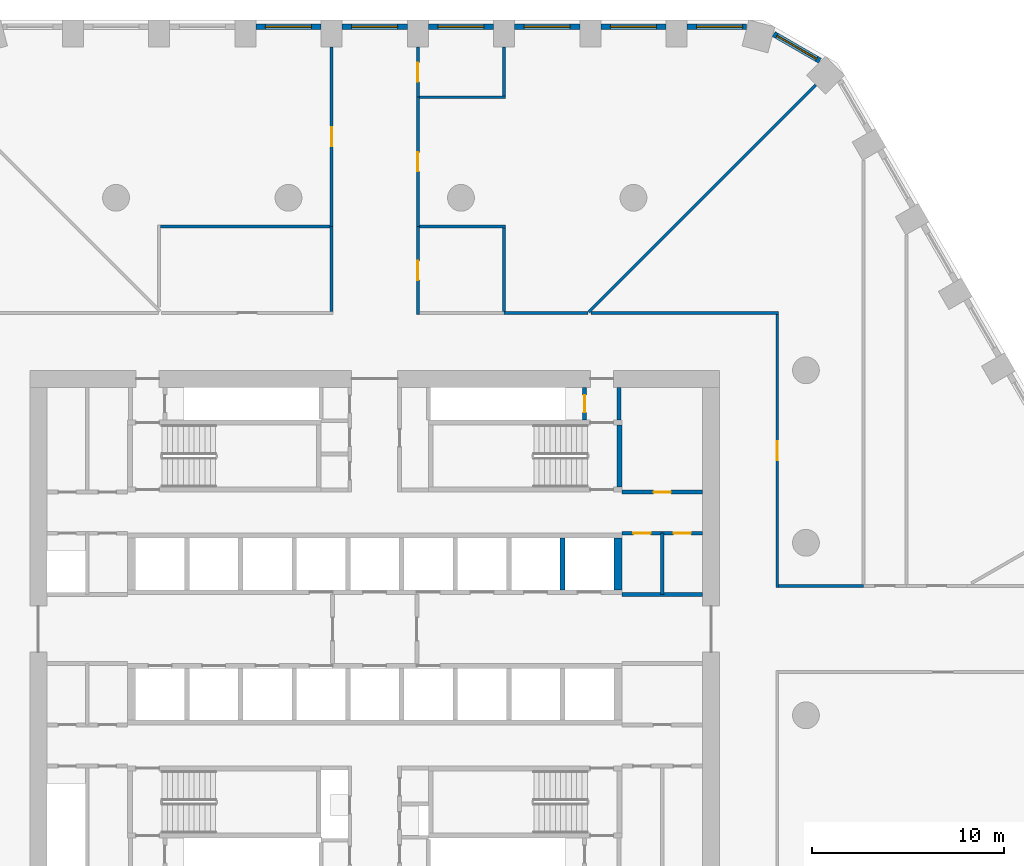
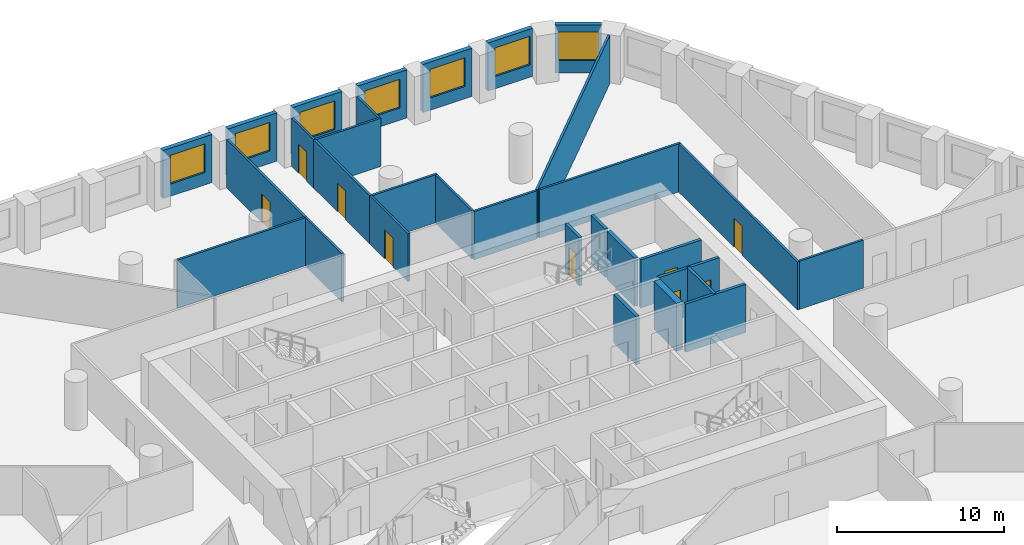
# One storey, part 7 of 10: 31 walls, 9 doors, 7 windows, 16 openings.
"""IFC4 building model written with IfcOpenShell, lengths in metres."""

import ifcopenshell
import ifcopenshell.guid

model = None  # the IFC model being written
_history = None  # IfcOwnerHistory: only IFC2X3 demands one
_inside = {}  # id of a spatial element -> (the spatial element, [elements in it])
_under = {}  # id of a project, library or spatial element -> (it, [spatial elements below it])
_declared = {}  # id of a project -> (the project, [libraries it declares])
_typed = {}  # id of a type object -> (the type object, [elements of that type])
_made_of = {}  # id of a material, layer set ... -> (it, [elements and type objects made of it])


def new_model(schema):
    """Start an empty IFC model of exactly this schema.

    Asked for "IFC4X3", IfcOpenShell would pick the latest addendum, in which some entities
    have other attributes; the version numbers below select the first issue.
    IFC2X3 requires an IfcOwnerHistory on every rooted entity: one is made here for all.
    """
    global model, _history
    if schema == "IFC4X3":
        model = ifcopenshell.file(schema_version=(4, 3, 0, 0))
    else:
        model = ifcopenshell.file(schema=schema)
    _inside.clear()
    _under.clear()
    _declared.clear()
    _typed.clear()
    _made_of.clear()
    _history = None
    if model.schema == "IFC2X3":
        org = make("IfcOrganization", Name="unknown")
        user = make(
            "IfcPersonAndOrganization",
            ThePerson=make("IfcPerson", FamilyName="unknown"),
            TheOrganization=org,
        )
        app = make(
            "IfcApplication",
            ApplicationDeveloper=org,
            Version="unknown",
            ApplicationFullName="unknown",
            ApplicationIdentifier="unknown",
        )
        _history = make(
            "IfcOwnerHistory",
            OwningUser=user,
            OwningApplication=app,
            ChangeAction="ADDED",
            CreationDate=0,
        )
    return model


def make(cls, **values):
    """One entity of the class cls with the attributes given. An attribute that is None is left unset."""
    return model.create_entity(
        cls, **{name: value for name, value in values.items() if value is not None}
    )


def rooted(cls, **values):
    """An entity with a GlobalId (a new one), such as an element, a storey or a relation."""
    return make(cls, GlobalId=ifcopenshell.guid.new(), OwnerHistory=_history, **values)


def si_unit(unit_type, name, prefix=None):
    """IfcSIUnit, for example si_unit("LENGTHUNIT", "METRE", prefix="MILLI")."""
    return make("IfcSIUnit", UnitType=unit_type, Prefix=prefix, Name=name)


def assignment(units):
    """IfcUnitAssignment: the units of a project."""
    return None if units is None else make("IfcUnitAssignment", Units=units)


def point(xyz):
    """IfcCartesianPoint."""
    return None if xyz is None else make("IfcCartesianPoint", Coordinates=xyz)


def direction(xyz):
    """IfcDirection."""
    return None if xyz is None else make("IfcDirection", DirectionRatios=xyz)


def frame(location, z_axis=None, x_axis=None):
    """IfcAxis2Placement3D, a coordinate frame: its origin and axes. An axis left out is left unset."""
    return make(
        "IfcAxis2Placement3D",
        Location=point(location),
        Axis=direction(z_axis),
        RefDirection=direction(x_axis),
    )


def frame_2d(location, x_axis=None):
    """IfcAxis2Placement2D, a coordinate frame in the plane: its origin and x axis."""
    return make(
        "IfcAxis2Placement2D", Location=point(location), RefDirection=direction(x_axis)
    )


def origin():
    """The frame at (0, 0, 0) with its axes left unset."""
    return frame((0.0, 0.0, 0.0))


def place(relative_to, where):
    """IfcLocalPlacement: puts the frame where relative to a parent placement (None: the world)."""
    return make(
        "IfcLocalPlacement", PlacementRelTo=relative_to, RelativePlacement=where
    )


def context(
    kind, dimensions, precision=None, world=None, true_north=None, identifier=None
):
    """IfcGeometricRepresentationContext, for example the 3D "Model" context."""
    return make(
        "IfcGeometricRepresentationContext",
        ContextIdentifier=identifier,
        ContextType=kind,
        CoordinateSpaceDimension=dimensions,
        Precision=precision,
        WorldCoordinateSystem=world,
        TrueNorth=true_north,
    )


def subcontext(parent, identifier, kind, view, scale=None):
    """IfcGeometricRepresentationSubContext, for example "Body" below "Model"."""
    return make(
        "IfcGeometricRepresentationSubContext",
        ContextIdentifier=identifier,
        ContextType=kind,
        ParentContext=parent,
        TargetScale=scale,
        TargetView=view,
    )


def project(units=None, contexts=None):
    """IfcProject with its units and contexts."""
    return rooted(
        "IfcProject",
        Name="project",
        RepresentationContexts=contexts,
        UnitsInContext=assignment(units),
    )


def spatial(cls, under=None, at=None, **own):
    """A site, building, storey or space (cls), placed at a placement, below another one or the project."""
    s = rooted(cls, ObjectPlacement=at, **own)
    if under is not None:
        _under.setdefault(under.id(), (under, []))[1].append(s)
    return s


def polyline(points):
    """IfcPolyline through the points."""
    return make("IfcPolyline", Points=[point(p) for p in points])


def profile(cls, at=None, kind="AREA", **sizes):
    """A parametric profile (cls). Its sizes go by their IFC names, for example OverallWidth=200.0."""
    return make(cls, ProfileType=kind, Position=at, **sizes)


def rectangle(**sizes):
    """IfcRectangleProfileDef."""
    return profile("IfcRectangleProfileDef", **sizes)


def outline(outer, holes=None, kind="AREA"):
    """IfcArbitraryClosedProfileDef: a profile drawn as a closed curve; with holes, ...WithVoids."""
    if holes is None:
        return make("IfcArbitraryClosedProfileDef", ProfileType=kind, OuterCurve=outer)
    return make(
        "IfcArbitraryProfileDefWithVoids",
        ProfileType=kind,
        OuterCurve=outer,
        InnerCurves=holes,
    )


def extrude(swept, where, along, depth):
    """IfcExtrudedAreaSolid: the profile swept, set in the frame where, extruded along a direction by depth."""
    return make(
        "IfcExtrudedAreaSolid",
        SweptArea=swept,
        Position=where,
        ExtrudedDirection=direction(along),
        Depth=depth,
    )


def shape(context_of_items, identifier, shape_type, items):
    """IfcShapeRepresentation: the items that make up one representation, for example the "Body"."""
    return make(
        "IfcShapeRepresentation",
        ContextOfItems=context_of_items,
        RepresentationIdentifier=identifier,
        RepresentationType=shape_type,
        Items=items,
    )


def material(Name=None, Category=None):
    """IfcMaterial."""
    return make("IfcMaterial", Name=Name, Category=Category)


def layer(
    of_material, thickness, ventilated=None, Name=None, Category=None, Priority=None
):
    """IfcMaterialLayer: one layer of a wall or slab, of a material (None: an air gap)."""
    return make(
        "IfcMaterialLayer",
        Material=of_material,
        LayerThickness=thickness,
        IsVentilated=ventilated,
        Name=Name,
        Category=Category,
        Priority=Priority,
    )


def layer_set(layers, Name=None):
    """IfcMaterialLayerSet."""
    return make("IfcMaterialLayerSet", MaterialLayers=layers, LayerSetName=Name)


def made_of(thing, what):
    """Note that an element or type object is made of a material, layer set ...; save() writes the relation."""
    if what is not None:
        _made_of.setdefault(what.id(), (what, []))[1].append(thing)
    return thing


def type_object(cls, material=None, **own):
    """A type object (cls), such as IfcWallType, which elements share."""
    return made_of(rooted(cls, **own), material)


def element(
    cls,
    number,
    at=None,
    inside=None,
    cuts=None,
    type_object=None,
    material=None,
    context=None,
    identifier="Body",
    shape_type=None,
    held_by="IfcProductDefinitionShape",
    body=None,
    shapes=None,
    **own,
):
    """One element of the class cls, such as IfcWall. Its Tag is "e" and its number.

    at: its placement. inside: the storey or other place that contains it. cuts: it is an
    opening in that element (IfcRelVoidsElement). A single representation is given by context,
    identifier, shape_type and body (its items); several are given by shapes. held_by: the class
    of the entity that holds the representations. save() writes the other relations.
    """
    e = rooted(cls, Tag="e%d" % number, ObjectPlacement=at, **own)
    if body is not None:
        shapes = [shape(context, identifier, shape_type, body)]
    if shapes is not None:
        e.Representation = make(held_by, Representations=shapes)
    if inside is not None:
        _inside.setdefault(inside.id(), (inside, []))[1].append(e)
    if cuts is not None:
        rooted(
            "IfcRelVoidsElement", RelatingBuildingElement=cuts, RelatedOpeningElement=e
        )
    if type_object is not None:
        _typed.setdefault(type_object.id(), (type_object, []))[1].append(e)
    return made_of(e, material)


def fill(opening, filler):
    """IfcRelFillsElement: the door or window that sits in an opening."""
    return rooted(
        "IfcRelFillsElement",
        RelatingOpeningElement=opening,
        RelatedBuildingElement=filler,
    )


def aggregate(whole, parts):
    """IfcRelAggregates: a whole, such as a stair, and the parts it consists of."""
    return rooted("IfcRelAggregates", RelatingObject=whole, RelatedObjects=parts)


def save(model, path):
    """Write the relations noted so far, then the file.

    IfcRelAggregates (storeys below a building ...), IfcRelContainedInSpatialStructure (elements
    in a storey), IfcRelDefinesByType, IfcRelAssociatesMaterial and IfcRelDeclares: one each for
    every whole, place, type object, material and project.
    """
    for whole, parts in _under.values():
        aggregate(whole, parts)
    for where, things in _inside.values():
        rooted(
            "IfcRelContainedInSpatialStructure",
            RelatedElements=things,
            RelatingStructure=where,
        )
    for kind, things in _typed.values():
        rooted("IfcRelDefinesByType", RelatedObjects=things, RelatingType=kind)
    for what, things in _made_of.values():
        rooted("IfcRelAssociatesMaterial", RelatedObjects=things, RelatingMaterial=what)
    for by, libraries in _declared.values():
        rooted("IfcRelDeclares", RelatingContext=by, RelatedDefinitions=libraries)
    model.write(path)


model = new_model("IFC4")

# Units and contexts
model_context = context("Model", 3, precision=1e-05, world=origin(), true_north=direction((0.0, 1.0)))
body_context = subcontext(model_context, "Body", "Model", "MODEL_VIEW")
ifc_project = project(units=[si_unit("LENGTHUNIT", "METRE"), si_unit("AREAUNIT", "SQUARE_METRE"), si_unit("VOLUMEUNIT", "CUBIC_METRE"), si_unit("PLANEANGLEUNIT", "RADIAN"), si_unit("MASSUNIT", "GRAM", prefix="KILO")], contexts=[model_context])

# Site, building, storey
site_placement = place(None, origin())
site = spatial("IfcSite", under=ifc_project, at=site_placement, CompositionType="ELEMENT")
building_placement = place(site_placement, origin())
building = spatial("IfcBuilding", under=site, at=building_placement, Name="Dhurran Vertical Campus", CompositionType="ELEMENT")
storey_placement = place(building_placement, frame((0.0, 0.0, 61.199951171875)))
storey = spatial("IfcBuildingStorey", under=building, at=storey_placement, Name="L14", CompositionType="ELEMENT", Elevation=61.199951171875)

# Wall, opening, window
ifc_material_1 = material(Name="Precast concrete C50/60", Category="concrete")
ifc_layer_1 = layer(ifc_material_1, 0.300048828125)
ifc_layer_set_1 = layer_set([ifc_layer_1], Name="Precast concrete C50/60")
wall_type_1 = type_object("IfcWallType", Name="Precast spandrel wall 300", PredefinedType="SOLIDWALL", material=ifc_layer_set_1)
wall_1_placement = place(storey_placement, frame((23.228271484375, 29.656005859375, 0.0), z_axis=(0.0, 0.0, 1.0), x_axis=(-0.866020456713, 0.500008568482, 0.0)))
wall_1 = element("IfcWall", 1, at=wall_1_placement, inside=storey, type_object=wall_type_1, Name="EW1 L14.25", PredefinedType="SOLIDWALL", context=body_context, shape_type="SweptSolid", body=[
    extrude(rectangle(XDim=2.7822265625, YDim=0.300048828125, at=frame_2d((1.39111328125, 0.0))), origin(), (0.0, 0.0, 1.0), 3.525146484375),
])
opening_1_placement = place(wall_1_placement, frame((0.191162109375, 0.0, 0.89990234375)))
opening_1 = element("IfcOpeningElement", 2, at=opening_1_placement, cuts=wall_1, Name="Opening WT1", PredefinedType="OPENING", context=body_context, shape_type="SweptSolid", body=[
    extrude(rectangle(XDim=2.39990234375, YDim=2.10009765625, at=frame_2d((1.199951171875, 1.050048828125))), frame((0.0, 0.159912109375, 0.0), z_axis=(0.0, -1.0, 0.0), x_axis=(1.0, 0.0, 0.0)), (0.0, 0.0, 1.0), 0.320068359375),
])
ifc_material_2 = material(Name="Aluminium frame with solar-control glass", Category="aluminium")
window_type = type_object("IfcWindowType", Name="Punched window 2400 x 2100", PartitioningType="SINGLE_PANEL", PredefinedType="WINDOW", material=ifc_material_2)
window_1_placement = place(opening_1_placement, origin())
window_1 = element("IfcWindow", 3, at=window_1_placement, inside=storey, type_object=window_type, Name="WT1 L14.25", OverallHeight=2.10009765625, OverallWidth=2.39990234375, PartitioningType="SINGLE_PANEL", PredefinedType="WINDOW", context=body_context, shape_type="SweptSolid", body=[
    extrude(rectangle(XDim=2.39990234375, YDim=2.10009765625, at=frame_2d((1.199951171875, 1.050048828125))), frame((0.0, 0.030029296875, 0.0), z_axis=(0.0, -1.0, 0.0), x_axis=(1.0, 0.0, 0.0)), (0.0, 0.0, 1.0), 0.06005859375),
])
fill(opening_1, window_1)

wall_2_placement = place(storey_placement, frame((19.39111328125, 31.4296875, 0.0), z_axis=(0.0, 0.0, 1.0), x_axis=(-1.0, 0.0, 0.0)))
wall_2 = element("IfcWall", 4, at=wall_2_placement, inside=storey, type_object=wall_type_1, Name="EW1 L14.26", PredefinedType="SOLIDWALL", context=body_context, shape_type="SweptSolid", body=[
    extrude(rectangle(XDim=3.090576171875, YDim=0.300048828125, at=frame_2d((1.54541015625, 0.0))), origin(), (0.0, 0.0, 1.0), 3.525146484375),
])
opening_2_placement = place(wall_2_placement, frame((0.191162109375, 0.0, 0.89990234375)))
opening_2 = element("IfcOpeningElement", 5, at=opening_2_placement, cuts=wall_2, Name="Opening WT1", PredefinedType="OPENING", context=body_context, shape_type="SweptSolid", body=[
    extrude(rectangle(XDim=2.39990234375, YDim=2.10009765625, at=frame_2d((1.199951171875, 1.050048828125))), frame((0.0, 0.159912109375, 0.0), z_axis=(0.0, -1.0, 0.0), x_axis=(1.0, 0.0, 0.0)), (0.0, 0.0, 1.0), 0.320068359375),
])
window_2_placement = place(opening_2_placement, origin())
window_2 = element("IfcWindow", 6, at=window_2_placement, inside=storey, type_object=window_type, Name="WT1 L14.26", OverallHeight=2.10009765625, OverallWidth=2.39990234375, PartitioningType="SINGLE_PANEL", PredefinedType="WINDOW", context=body_context, shape_type="SweptSolid", body=[
    extrude(rectangle(XDim=2.39990234375, YDim=2.10009765625, at=frame_2d((1.199951171875, 1.050048828125))), frame((0.0, 0.030029296875, 0.0), z_axis=(0.0, -1.0, 0.0), x_axis=(1.0, 0.0, 0.0)), (0.0, 0.0, 1.0), 0.06005859375),
])
fill(opening_2, window_2)

wall_3_placement = place(storey_placement, frame((15.199462890625, 31.4296875, 0.0), z_axis=(0.0, 0.0, 1.0), x_axis=(-1.0, 0.0, 0.0)))
wall_3 = element("IfcWall", 7, at=wall_3_placement, inside=storey, type_object=wall_type_1, Name="EW1 L14.27", PredefinedType="SOLIDWALL", context=body_context, shape_type="SweptSolid", body=[
    extrude(rectangle(XDim=3.39892578125, YDim=0.300048828125, at=frame_2d((1.699462890625, 0.0))), origin(), (0.0, 0.0, 1.0), 3.525146484375),
])
opening_3_placement = place(wall_3_placement, frame((0.49951171875, 0.0, 0.89990234375)))
opening_3 = element("IfcOpeningElement", 8, at=opening_3_placement, cuts=wall_3, Name="Opening WT1", PredefinedType="OPENING", context=body_context, shape_type="SweptSolid", body=[
    extrude(rectangle(XDim=2.39990234375, YDim=2.10009765625, at=frame_2d((1.199951171875, 1.050048828125))), frame((0.0, 0.159912109375, 0.0), z_axis=(0.0, -1.0, 0.0), x_axis=(1.0, 0.0, 0.0)), (0.0, 0.0, 1.0), 0.320068359375),
])
window_3_placement = place(opening_3_placement, origin())
window_3 = element("IfcWindow", 9, at=window_3_placement, inside=storey, type_object=window_type, Name="WT1 L14.27", OverallHeight=2.10009765625, OverallWidth=2.39990234375, PartitioningType="SINGLE_PANEL", PredefinedType="WINDOW", context=body_context, shape_type="SweptSolid", body=[
    extrude(rectangle(XDim=2.39990234375, YDim=2.10009765625, at=frame_2d((1.199951171875, 1.050048828125))), frame((0.0, 0.030029296875, 0.0), z_axis=(0.0, -1.0, 0.0), x_axis=(1.0, 0.0, 0.0)), (0.0, 0.0, 1.0), 0.06005859375),
])
fill(opening_3, window_3)

wall_4_placement = place(storey_placement, frame((10.699462890625, 31.4296875, 0.0), z_axis=(0.0, 0.0, 1.0), x_axis=(-1.0, 0.0, 0.0)))
wall_4 = element("IfcWall", 10, at=wall_4_placement, inside=storey, type_object=wall_type_1, Name="EW1 L14.28", PredefinedType="SOLIDWALL", context=body_context, shape_type="SweptSolid", body=[
    extrude(rectangle(XDim=3.39892578125, YDim=0.300048828125, at=frame_2d((1.699462890625, 0.0))), origin(), (0.0, 0.0, 1.0), 3.525146484375),
])
opening_4_placement = place(wall_4_placement, frame((0.49951171875, 0.0, 0.89990234375)))
opening_4 = element("IfcOpeningElement", 11, at=opening_4_placement, cuts=wall_4, Name="Opening WT1", PredefinedType="OPENING", context=body_context, shape_type="SweptSolid", body=[
    extrude(rectangle(XDim=2.39990234375, YDim=2.10009765625, at=frame_2d((1.199951171875, 1.050048828125))), frame((0.0, 0.159912109375, 0.0), z_axis=(0.0, -1.0, 0.0), x_axis=(1.0, 0.0, 0.0)), (0.0, 0.0, 1.0), 0.320068359375),
])
window_4_placement = place(opening_4_placement, origin())
window_4 = element("IfcWindow", 12, at=window_4_placement, inside=storey, type_object=window_type, Name="WT1 L14.28", OverallHeight=2.10009765625, OverallWidth=2.39990234375, PartitioningType="SINGLE_PANEL", PredefinedType="WINDOW", context=body_context, shape_type="SweptSolid", body=[
    extrude(rectangle(XDim=2.39990234375, YDim=2.10009765625, at=frame_2d((1.199951171875, 1.050048828125))), frame((0.0, 0.030029296875, 0.0), z_axis=(0.0, -1.0, 0.0), x_axis=(1.0, 0.0, 0.0)), (0.0, 0.0, 1.0), 0.06005859375),
])
fill(opening_4, window_4)

wall_5_placement = place(storey_placement, frame((6.199462890625, 31.4296875, 0.0), z_axis=(0.0, 0.0, 1.0), x_axis=(-1.0, 0.0, 0.0)))
wall_5 = element("IfcWall", 13, at=wall_5_placement, inside=storey, type_object=wall_type_1, Name="EW1 L14.29", PredefinedType="SOLIDWALL", context=body_context, shape_type="SweptSolid", body=[
    extrude(rectangle(XDim=3.39892578125, YDim=0.300048828125, at=frame_2d((1.699462890625, 0.0))), origin(), (0.0, 0.0, 1.0), 3.525146484375),
])
opening_5_placement = place(wall_5_placement, frame((0.49951171875, 0.0, 0.89990234375)))
opening_5 = element("IfcOpeningElement", 14, at=opening_5_placement, cuts=wall_5, Name="Opening WT1", PredefinedType="OPENING", context=body_context, shape_type="SweptSolid", body=[
    extrude(rectangle(XDim=2.39990234375, YDim=2.10009765625, at=frame_2d((1.199951171875, 1.050048828125))), frame((0.0, 0.159912109375, 0.0), z_axis=(0.0, -1.0, 0.0), x_axis=(1.0, 0.0, 0.0)), (0.0, 0.0, 1.0), 0.320068359375),
])
window_5_placement = place(opening_5_placement, origin())
window_5 = element("IfcWindow", 15, at=window_5_placement, inside=storey, type_object=window_type, Name="WT1 L14.29", OverallHeight=2.10009765625, OverallWidth=2.39990234375, PartitioningType="SINGLE_PANEL", PredefinedType="WINDOW", context=body_context, shape_type="SweptSolid", body=[
    extrude(rectangle(XDim=2.39990234375, YDim=2.10009765625, at=frame_2d((1.199951171875, 1.050048828125))), frame((0.0, 0.030029296875, 0.0), z_axis=(0.0, -1.0, 0.0), x_axis=(1.0, 0.0, 0.0)), (0.0, 0.0, 1.0), 0.06005859375),
])
fill(opening_5, window_5)

wall_6_placement = place(storey_placement, frame((1.699462890625, 31.4296875, 0.0), z_axis=(0.0, 0.0, 1.0), x_axis=(-1.0, 0.0, 0.0)))
wall_6 = element("IfcWall", 16, at=wall_6_placement, inside=storey, type_object=wall_type_1, Name="EW1 L14.30", PredefinedType="SOLIDWALL", context=body_context, shape_type="SweptSolid", body=[
    extrude(rectangle(XDim=3.39892578125, YDim=0.300048828125, at=frame_2d((1.699462890625, 0.0))), origin(), (0.0, 0.0, 1.0), 3.525146484375),
])
opening_6_placement = place(wall_6_placement, frame((0.49951171875, 0.0, 0.89990234375)))
opening_6 = element("IfcOpeningElement", 17, at=opening_6_placement, cuts=wall_6, Name="Opening WT1", PredefinedType="OPENING", context=body_context, shape_type="SweptSolid", body=[
    extrude(rectangle(XDim=2.39990234375, YDim=2.10009765625, at=frame_2d((1.199951171875, 1.050048828125))), frame((0.0, 0.159912109375, 0.0), z_axis=(0.0, -1.0, 0.0), x_axis=(1.0, 0.0, 0.0)), (0.0, 0.0, 1.0), 0.320068359375),
])
window_6_placement = place(opening_6_placement, origin())
window_6 = element("IfcWindow", 18, at=window_6_placement, inside=storey, type_object=window_type, Name="WT1 L14.30", OverallHeight=2.10009765625, OverallWidth=2.39990234375, PartitioningType="SINGLE_PANEL", PredefinedType="WINDOW", context=body_context, shape_type="SweptSolid", body=[
    extrude(rectangle(XDim=2.39990234375, YDim=2.10009765625, at=frame_2d((1.199951171875, 1.050048828125))), frame((0.0, 0.030029296875, 0.0), z_axis=(0.0, -1.0, 0.0), x_axis=(1.0, 0.0, 0.0)), (0.0, 0.0, 1.0), 0.06005859375),
])
fill(opening_6, window_6)

wall_7_placement = place(storey_placement, frame((-2.800537109375, 31.4296875, 0.0), z_axis=(0.0, 0.0, 1.0), x_axis=(-1.0, 0.0, 0.0)))
wall_7 = element("IfcWall", 19, at=wall_7_placement, inside=storey, type_object=wall_type_1, Name="EW1 L14.31", PredefinedType="SOLIDWALL", context=body_context, shape_type="SweptSolid", body=[
    extrude(rectangle(XDim=3.39892578125, YDim=0.300048828125, at=frame_2d((1.699462890625, 0.0))), origin(), (0.0, 0.0, 1.0), 3.525146484375),
])
opening_7_placement = place(wall_7_placement, frame((0.49951171875, 0.0, 0.89990234375)))
opening_7 = element("IfcOpeningElement", 20, at=opening_7_placement, cuts=wall_7, Name="Opening WT1", PredefinedType="OPENING", context=body_context, shape_type="SweptSolid", body=[
    extrude(rectangle(XDim=2.39990234375, YDim=2.10009765625, at=frame_2d((1.199951171875, 1.050048828125))), frame((0.0, 0.159912109375, 0.0), z_axis=(0.0, -1.0, 0.0), x_axis=(1.0, 0.0, 0.0)), (0.0, 0.0, 1.0), 0.320068359375),
])
window_7_placement = place(opening_7_placement, origin())
window_7 = element("IfcWindow", 21, at=window_7_placement, inside=storey, type_object=window_type, Name="WT1 L14.31", OverallHeight=2.10009765625, OverallWidth=2.39990234375, PartitioningType="SINGLE_PANEL", PredefinedType="WINDOW", context=body_context, shape_type="SweptSolid", body=[
    extrude(rectangle(XDim=2.39990234375, YDim=2.10009765625, at=frame_2d((1.199951171875, 1.050048828125))), frame((0.0, 0.030029296875, 0.0), z_axis=(0.0, -1.0, 0.0), x_axis=(1.0, 0.0, 0.0)), (0.0, 0.0, 1.0), 0.06005859375),
])
fill(opening_7, window_7)

# Wall
ifc_material_3 = material(Name="Fire-rated masonry blockwork", Category="masonry")
ifc_layer_2 = layer(ifc_material_3, 0.199951171875)
ifc_layer_set_2 = layer_set([ifc_layer_2], Name="Fire-rated masonry blockwork")
wall_type_2 = type_object("IfcWallType", Name="co-FIRE-PARTITION-200", PredefinedType="PARTITIONING", material=ifc_layer_set_2)
wall_8_placement = place(storey_placement, frame((12.75, 10.89990234375, 0.0), z_axis=(0.0, 0.0, 1.0), x_axis=(0.0, 1.0, 0.0)))
element("IfcWall", 22, at=wall_8_placement, inside=storey, type_object=wall_type_2, Name="Core partition pass-ST2-o L14", PredefinedType="PARTITIONING", context=body_context, shape_type="SweptSolid", body=[
    extrude(rectangle(XDim=1.7001953125, YDim=0.199951171875, at=frame_2d((0.85009765625, 0.0))), origin(), (0.0, 0.0, 1.0), 3.525146484375),
])

# Wall, opening, door
wall_9_placement = place(storey_placement, frame((10.949951171875, 10.89990234375, 0.0), z_axis=(0.0, 0.0, 1.0), x_axis=(0.0, 1.0, 0.0)))
wall_9 = element("IfcWall", 23, at=wall_9_placement, inside=storey, type_object=wall_type_2, Name="Core partition pass-ST2-i L14", PredefinedType="PARTITIONING", context=body_context, shape_type="SweptSolid", body=[
    extrude(rectangle(XDim=1.7001953125, YDim=0.199951171875, at=frame_2d((0.85009765625, 0.0))), origin(), (0.0, 0.0, 1.0), 3.525146484375),
])
opening_8_placement = place(wall_9_placement, frame((0.39990234375, 0.0, 0.0)))
opening_8 = element("IfcOpeningElement", 24, at=opening_8_placement, cuts=wall_9, Name="Opening T03-C11", PredefinedType="OPENING", context=body_context, shape_type="SweptSolid", body=[
    extrude(rectangle(XDim=0.89990234375, YDim=2.10009765625, at=frame_2d((0.449951171875, 1.050048828125))), frame((0.0, 0.10986328125, 0.0), z_axis=(0.0, -1.0, 0.0), x_axis=(1.0, 0.0, 0.0)), (0.0, 0.0, 1.0), 0.219970703125),
])
ifc_material_4 = material(Name="Fire-rated timber door set", Category="wood")
door_type_1 = type_object("IfcDoorType", Name="co-D-ROOM 900x2100", OperationType="SINGLE_SWING_LEFT", PredefinedType="DOOR", material=ifc_material_4)
door_1_placement = place(opening_8_placement, origin())
door_1 = element("IfcDoor", 25, at=door_1_placement, inside=storey, type_object=door_type_1, Name="Riser room door L14", OperationType="SINGLE_SWING_LEFT", OverallHeight=2.10009765625, OverallWidth=0.89990234375, PredefinedType="DOOR", context=body_context, shape_type="SweptSolid", body=[
    extrude(rectangle(XDim=0.89990234375, YDim=2.10009765625, at=frame_2d((0.449951171875, 1.050048828125))), frame((0.0, 0.02490234375, 0.0), z_axis=(0.0, -1.0, 0.0), x_axis=(1.0, 0.0, 0.0)), (0.0, 0.0, 1.0), 0.050048828125),
])
fill(opening_8, door_1)

wall_10_placement = place(storey_placement, frame((12.89990234375, 7.14990234375, 0.0), z_axis=(0.0, 0.0, 1.0), x_axis=(1.0, 0.0, 0.0)))
wall_10 = element("IfcWall", 26, at=wall_10_placement, inside=storey, type_object=wall_type_2, Name="Core partition en-NE-w L14", PredefinedType="PARTITIONING", context=body_context, shape_type="SweptSolid", body=[
    extrude(rectangle(XDim=4.2001953125, YDim=0.199951171875, at=frame_2d((2.10009765625, 0.0))), origin(), (0.0, 0.0, 1.0), 3.525146484375),
])
opening_9_placement = place(wall_10_placement, frame((1.64990234375, 0.0, 0.0)))
opening_9 = element("IfcOpeningElement", 27, at=opening_9_placement, cuts=wall_10, Name="Opening T03-C18", PredefinedType="OPENING", context=body_context, shape_type="SweptSolid", body=[
    extrude(rectangle(XDim=0.89990234375, YDim=2.10009765625, at=frame_2d((0.449951171875, 1.050048828125))), frame((0.0, 0.10986328125, 0.0), z_axis=(0.0, -1.0, 0.0), x_axis=(1.0, 0.0, 0.0)), (0.0, 0.0, 1.0), 0.219970703125),
])
door_2_placement = place(opening_9_placement, origin())
door_2 = element("IfcDoor", 28, at=door_2_placement, inside=storey, type_object=door_type_1, Name="Pantry door L14", OperationType="SINGLE_SWING_LEFT", OverallHeight=2.10009765625, OverallWidth=0.89990234375, PredefinedType="DOOR", context=body_context, shape_type="SweptSolid", body=[
    extrude(rectangle(XDim=0.89990234375, YDim=2.10009765625, at=frame_2d((0.449951171875, 1.050048828125))), frame((0.0, 0.02490234375, 0.0), z_axis=(0.0, -1.0, 0.0), x_axis=(1.0, 0.0, 0.0)), (0.0, 0.0, 1.0), 0.050048828125),
])
fill(opening_9, door_2)

# Wall
wall_11_placement = place(storey_placement, frame((15.0, 1.800048828125, 0.0), z_axis=(0.0, 0.0, 1.0), x_axis=(0.0, 1.0, 0.0)))
element("IfcWall", 29, at=wall_11_placement, inside=storey, type_object=wall_type_2, Name="Core partition es-NE-cut0 L14", PredefinedType="PARTITIONING", context=body_context, shape_type="SweptSolid", body=[
    extrude(rectangle(XDim=3.199951171875, YDim=0.199951171875, at=frame_2d((1.60009765625, 0.0))), origin(), (0.0, 0.0, 1.0), 3.525146484375),
])

# Wall, openings, doors
wall_12_placement = place(storey_placement, frame((12.89990234375, 5.0, 0.0), z_axis=(0.0, 0.0, 1.0), x_axis=(1.0, 0.0, 0.0)))
wall_12 = element("IfcWall", 30, at=wall_12_placement, inside=storey, type_object=wall_type_2, Name="Core partition es-NE-w L14", PredefinedType="PARTITIONING", context=body_context, shape_type="SweptSolid", body=[
    extrude(rectangle(XDim=4.2001953125, YDim=0.199951171875, at=frame_2d((2.10009765625, 0.0))), origin(), (0.0, 0.0, 1.0), 3.525146484375),
])
opening_10_placement = place(wall_12_placement, frame((0.60009765625, 0.0, 0.0)))
opening_10 = element("IfcOpeningElement", 31, at=opening_10_placement, cuts=wall_12, Name="Opening T03-C19", PredefinedType="OPENING", context=body_context, shape_type="SweptSolid", body=[
    extrude(rectangle(XDim=0.89990234375, YDim=2.10009765625, at=frame_2d((0.449951171875, 1.050048828125))), frame((0.0, 0.10986328125, 0.0), z_axis=(0.0, -1.0, 0.0), x_axis=(1.0, 0.0, 0.0)), (0.0, 0.0, 1.0), 0.219970703125),
])
opening_11_placement = place(wall_12_placement, frame((2.699951171875, 0.0, 0.0)))
opening_11 = element("IfcOpeningElement", 32, at=opening_11_placement, cuts=wall_12, Name="Opening T03-C20", PredefinedType="OPENING", context=body_context, shape_type="SweptSolid", body=[
    extrude(rectangle(XDim=0.89990234375, YDim=2.10009765625, at=frame_2d((0.449951171875, 1.050048828125))), frame((0.0, 0.10986328125, 0.0), z_axis=(0.0, -1.0, 0.0), x_axis=(1.0, 0.0, 0.0)), (0.0, 0.0, 1.0), 0.219970703125),
])
door_3_placement = place(opening_10_placement, origin())
door_3 = element("IfcDoor", 33, at=door_3_placement, inside=storey, type_object=door_type_1, Name="Store door L14", OperationType="SINGLE_SWING_LEFT", OverallHeight=2.10009765625, OverallWidth=0.89990234375, PredefinedType="DOOR", context=body_context, shape_type="SweptSolid", body=[
    extrude(rectangle(XDim=0.89990234375, YDim=2.10009765625, at=frame_2d((0.449951171875, 1.050048828125))), frame((0.0, 0.02490234375, 0.0), z_axis=(0.0, -1.0, 0.0), x_axis=(1.0, 0.0, 0.0)), (0.0, 0.0, 1.0), 0.050048828125),
])
fill(opening_10, door_3)
door_4_placement = place(opening_11_placement, origin())
door_4 = element("IfcDoor", 34, at=door_4_placement, inside=storey, type_object=door_type_1, Name="Pantry door L14", OperationType="SINGLE_SWING_LEFT", OverallHeight=2.10009765625, OverallWidth=0.89990234375, PredefinedType="DOOR", context=body_context, shape_type="SweptSolid", body=[
    extrude(rectangle(XDim=0.89990234375, YDim=2.10009765625, at=frame_2d((0.449951171875, 1.050048828125))), frame((0.0, 0.02490234375, 0.0), z_axis=(0.0, -1.0, 0.0), x_axis=(1.0, 0.0, 0.0)), (0.0, 0.0, 1.0), 0.050048828125),
])
fill(opening_11, door_4)

# Walls
wall_13_placement = place(storey_placement, frame((12.89990234375, 1.800048828125, 0.0), z_axis=(0.0, 0.0, 1.0), x_axis=(1.0, 0.0, 0.0)))
element("IfcWall", 35, at=wall_13_placement, inside=storey, type_object=wall_type_2, Name="Core partition es-NE-l L14", PredefinedType="PARTITIONING", context=body_context, shape_type="SweptSolid", body=[
    extrude(rectangle(XDim=4.2001953125, YDim=0.199951171875, at=frame_2d((2.10009765625, 0.0))), origin(), (0.0, 0.0, 1.0), 3.525146484375),
])
ifc_material_5 = material(Name="Concrete C50/60", Category="concrete")
ifc_layer_3 = layer(ifc_material_5, 0.25)
ifc_layer_set_3 = layer_set([ifc_layer_3], Name="Concrete C50/60")
wall_type_3 = type_object("IfcWallType", Name="co-SHAFT-MASS-250", PredefinedType="SHEAR", material=ifc_layer_set_3)
wall_14_placement = place(storey_placement, origin())
element("IfcWall", 36, at=wall_14_placement, inside=storey, type_object=wall_type_3, Name="Lift shaft wall N L14 10", PredefinedType="SHEAR", context=body_context, shape_type="SweptSolid", body=[
    extrude(outline(polyline([(9.675048828125, 2.050048828125), (9.925048828125, 2.050048828125), (9.925048828125, 4.75), (9.675048828125, 4.75), (9.675048828125, 2.050048828125)])), origin(), (0.0, 0.0, 1.0), 3.525146484375),
])
wall_15_placement = place(storey_placement, origin())
element("IfcWall", 37, at=wall_15_placement, inside=storey, type_object=wall_type_3, Name="Lift shaft wall N L14 11", PredefinedType="SHEAR", context=body_context, shape_type="SweptSolid", body=[
    extrude(outline(polyline([(12.47509765625, 2.050048828125), (12.89990234375, 2.050048828125), (12.89990234375, 4.75), (12.47509765625, 4.75), (12.47509765625, 2.050048828125)])), origin(), (0.0, 0.0, 1.0), 3.525146484375),
])
ifc_material_6 = material(Name="Concrete C40/50", Category="concrete")
ifc_layer_4 = layer(ifc_material_6, 0.25)
ifc_layer_set_4 = layer_set([ifc_layer_4], Name="Concrete C40/50")
wall_type_4 = type_object("IfcWallType", Name="co-STAIR-WALL-250", PredefinedType="SHEAR", material=ifc_layer_set_4)
wall_16_placement = place(storey_placement, frame((12.77490234375, 7.39990234375, 0.0), z_axis=(0.0, 0.0, 1.0), x_axis=(0.0, 1.0, 0.0)))
element("IfcWall", 38, at=wall_16_placement, inside=storey, type_object=wall_type_4, Name="Stair ST2 enclosure wall L14", PredefinedType="SHEAR", context=body_context, shape_type="SweptSolid", body=[
    extrude(rectangle(XDim=3.25, YDim=0.25, at=frame_2d((1.625, 0.0))), origin(), (0.0, 0.0, 1.0), 3.525146484375),
])
ifc_material_7 = material(Name="Gypsum board corridor wall on steel studs", Category="steel")
ifc_layer_5 = layer(ifc_material_7, 0.14990234375)
ifc_layer_set_5 = layer_set([ifc_layer_5], Name="Gypsum board corridor wall on steel studs")
wall_type_5 = type_object("IfcWallType", Name="fl-CW-150 corridor wall", PredefinedType="PARTITIONING", material=ifc_layer_set_5)
wall_17_placement = place(storey_placement, frame((-2.25, 16.574951171875, 0.0), z_axis=(0.0, 0.0, 1.0), x_axis=(0.0, 1.0, 0.0)))
element("IfcWall", 39, at=wall_17_placement, inside=storey, type_object=wall_type_5, Name="Partition 14-22", PredefinedType="PARTITIONING", context=body_context, shape_type="SweptSolid", body=[
    extrude(rectangle(XDim=4.425048828125, YDim=0.14990234375, at=frame_2d((2.21240234375, 0.0))), origin(), (0.0, 0.0, 1.0), 3.525146484375),
])

# Wall, opening, door
wall_18_placement = place(storey_placement, frame((-2.25, 21.0, 0.0), z_axis=(0.0, 0.0, 1.0), x_axis=(0.0, 1.0, 0.0)))
wall_18 = element("IfcWall", 40, at=wall_18_placement, inside=storey, type_object=wall_type_5, Name="Partition 14-23", PredefinedType="PARTITIONING", context=body_context, shape_type="SweptSolid", body=[
    extrude(rectangle(XDim=9.35986328125, YDim=0.14990234375, at=frame_2d((4.679931640625, 0.0))), origin(), (0.0, 0.0, 1.0), 3.525146484375),
])
opening_12_placement = place(wall_18_placement, frame((4.179931640625, 0.0, 0.0)))
opening_12 = element("IfcOpeningElement", 41, at=opening_12_placement, cuts=wall_18, Name="Opening T03.06", PredefinedType="OPENING", context=body_context, shape_type="SweptSolid", body=[
    extrude(rectangle(XDim=1.0, YDim=2.10009765625, at=frame_2d((0.5, 1.050048828125))), frame((0.0, 0.0849609375, 0.0), z_axis=(0.0, -1.0, 0.0), x_axis=(1.0, 0.0, 0.0)), (0.0, 0.0, 1.0), 0.169921875),
])
ifc_material_8 = material(Name="Solid-core timber door set, fire-rated", Category="wood")
door_type_2 = type_object("IfcDoorType", Name="fl-D-1000x2100", OperationType="SINGLE_SWING_LEFT", PredefinedType="DOOR", material=ifc_material_8)
door_5_placement = place(opening_12_placement, origin())
door_5 = element("IfcDoor", 42, at=door_5_placement, inside=storey, type_object=door_type_2, Name="Door 14.06", OperationType="SINGLE_SWING_LEFT", OverallHeight=2.10009765625, OverallWidth=1.0, PredefinedType="DOOR", context=body_context, shape_type="SweptSolid", body=[
    extrude(rectangle(XDim=1.0, YDim=2.10009765625, at=frame_2d((0.5, 1.050048828125))), frame((0.0, 0.02490234375, 0.0), z_axis=(0.0, -1.0, 0.0), x_axis=(1.0, 0.0, 0.0)), (0.0, 0.0, 1.0), 0.050048828125),
])
fill(opening_12, door_5)

wall_19_placement = place(storey_placement, frame((2.25, 21.0, 0.0), z_axis=(0.0, 0.0, 1.0), x_axis=(0.0, -1.0, 0.0)))
wall_19 = element("IfcWall", 43, at=wall_19_placement, inside=storey, type_object=wall_type_5, Name="Partition 14-26", PredefinedType="PARTITIONING", context=body_context, shape_type="SweptSolid", body=[
    extrude(rectangle(XDim=4.574951171875, YDim=0.14990234375, at=frame_2d((2.28759765625, 0.0))), origin(), (0.0, 0.0, 1.0), 3.525146484375),
])
opening_13_placement = place(wall_19_placement, frame((1.78759765625, 0.0, 0.0)))
opening_13 = element("IfcOpeningElement", 44, at=opening_13_placement, cuts=wall_19, Name="Opening T03.09", PredefinedType="OPENING", context=body_context, shape_type="SweptSolid", body=[
    extrude(rectangle(XDim=1.0, YDim=2.10009765625, at=frame_2d((0.5, 1.050048828125))), frame((0.0, 0.0849609375, 0.0), z_axis=(0.0, -1.0, 0.0), x_axis=(1.0, 0.0, 0.0)), (0.0, 0.0, 1.0), 0.169921875),
])
door_6_placement = place(opening_13_placement, origin())
door_6 = element("IfcDoor", 45, at=door_6_placement, inside=storey, type_object=door_type_2, Name="Door 14.09", OperationType="SINGLE_SWING_LEFT", OverallHeight=2.10009765625, OverallWidth=1.0, PredefinedType="DOOR", context=body_context, shape_type="SweptSolid", body=[
    extrude(rectangle(XDim=1.0, YDim=2.10009765625, at=frame_2d((0.5, 1.050048828125))), frame((0.0, 0.02490234375, 0.0), z_axis=(0.0, -1.0, 0.0), x_axis=(1.0, 0.0, 0.0)), (0.0, 0.0, 1.0), 0.050048828125),
])
fill(opening_13, door_6)

wall_20_placement = place(storey_placement, frame((2.25, 27.75, 0.0), z_axis=(0.0, 0.0, 1.0), x_axis=(0.0, -1.0, 0.0)))
wall_20 = element("IfcWall", 46, at=wall_20_placement, inside=storey, type_object=wall_type_5, Name="Partition 14-28", PredefinedType="PARTITIONING", context=body_context, shape_type="SweptSolid", body=[
    extrude(rectangle(XDim=6.75, YDim=0.14990234375, at=frame_2d((3.375, 0.0))), origin(), (0.0, 0.0, 1.0), 3.525146484375),
])
opening_14_placement = place(wall_20_placement, frame((2.875, 0.0, 0.0)))
opening_14 = element("IfcOpeningElement", 47, at=opening_14_placement, cuts=wall_20, Name="Opening T03.12", PredefinedType="OPENING", context=body_context, shape_type="SweptSolid", body=[
    extrude(rectangle(XDim=1.0, YDim=2.10009765625, at=frame_2d((0.5, 1.050048828125))), frame((0.0, 0.0849609375, 0.0), z_axis=(0.0, -1.0, 0.0), x_axis=(1.0, 0.0, 0.0)), (0.0, 0.0, 1.0), 0.169921875),
])
door_7_placement = place(opening_14_placement, origin())
door_7 = element("IfcDoor", 48, at=door_7_placement, inside=storey, type_object=door_type_2, Name="Door 14.12", OperationType="SINGLE_SWING_RIGHT", OverallHeight=2.10009765625, OverallWidth=1.0, PredefinedType="DOOR", context=body_context, shape_type="SweptSolid", body=[
    extrude(rectangle(XDim=1.0, YDim=2.10009765625, at=frame_2d((0.5, 1.050048828125))), frame((0.0, 0.02490234375, 0.0), z_axis=(0.0, -1.0, 0.0), x_axis=(1.0, 0.0, 0.0)), (0.0, 0.0, 1.0), 0.050048828125),
])
fill(opening_14, door_7)

wall_21_placement = place(storey_placement, frame((2.25, 30.35986328125, 0.0), z_axis=(0.0, 0.0, 1.0), x_axis=(0.0, -1.0, 0.0)))
wall_21 = element("IfcWall", 49, at=wall_21_placement, inside=storey, type_object=wall_type_5, Name="Partition 14-30", PredefinedType="PARTITIONING", context=body_context, shape_type="SweptSolid", body=[
    extrude(rectangle(XDim=2.60986328125, YDim=0.14990234375, at=frame_2d((1.304931640625, 0.0))), origin(), (0.0, 0.0, 1.0), 3.525146484375),
])
opening_15_placement = place(wall_21_placement, frame((0.804931640625, 0.0, 0.0)))
opening_15 = element("IfcOpeningElement", 50, at=opening_15_placement, cuts=wall_21, Name="Opening T03.10", PredefinedType="OPENING", context=body_context, shape_type="SweptSolid", body=[
    extrude(rectangle(XDim=1.0, YDim=2.10009765625, at=frame_2d((0.5, 1.050048828125))), frame((0.0, 0.0849609375, 0.0), z_axis=(0.0, -1.0, 0.0), x_axis=(1.0, 0.0, 0.0)), (0.0, 0.0, 1.0), 0.169921875),
])
door_8_placement = place(opening_15_placement, origin())
door_8 = element("IfcDoor", 51, at=door_8_placement, inside=storey, type_object=door_type_2, Name="Door 14.10", OperationType="SINGLE_SWING_RIGHT", OverallHeight=2.10009765625, OverallWidth=1.0, PredefinedType="DOOR", context=body_context, shape_type="SweptSolid", body=[
    extrude(rectangle(XDim=1.0, YDim=2.10009765625, at=frame_2d((0.5, 1.050048828125))), frame((0.0, 0.02490234375, 0.0), z_axis=(0.0, -1.0, 0.0), x_axis=(1.0, 0.0, 0.0)), (0.0, 0.0, 1.0), 0.050048828125),
])
fill(opening_15, door_8)

# Walls
wall_22_placement = place(storey_placement, frame((11.116943359375, 16.5, 0.0), z_axis=(0.0, 0.0, 1.0), x_axis=(-1.0, 0.0, 0.0)))
element("IfcWall", 52, at=wall_22_placement, inside=storey, type_object=wall_type_5, Name="Partition 14-33", PredefinedType="PARTITIONING", context=body_context, shape_type="SweptSolid", body=[
    extrude(rectangle(XDim=4.366943359375, YDim=0.14990234375, at=frame_2d((2.18359375, 0.0))), origin(), (0.0, 0.0, 1.0), 3.525146484375),
])
wall_23_placement = place(storey_placement, frame((21.074951171875, 16.5, 0.0), z_axis=(0.0, 0.0, 1.0), x_axis=(-1.0, 0.0, 0.0)))
element("IfcWall", 53, at=wall_23_placement, inside=storey, type_object=wall_type_5, Name="Partition 14-35", PredefinedType="PARTITIONING", context=body_context, shape_type="SweptSolid", body=[
    extrude(rectangle(XDim=9.782958984375, YDim=0.14990234375, at=frame_2d((4.8916015625, 0.0))), origin(), (0.0, 0.0, 1.0), 3.525146484375),
])

# Wall, opening, door
wall_24_placement = place(storey_placement, frame((21.0, 2.175048828125, 0.0), z_axis=(0.0, 0.0, 1.0), x_axis=(0.0, 1.0, 0.0)))
wall_24 = element("IfcWall", 54, at=wall_24_placement, inside=storey, type_object=wall_type_5, Name="Partition 14-43", PredefinedType="PARTITIONING", context=body_context, shape_type="SweptSolid", body=[
    extrude(rectangle(XDim=14.25, YDim=0.14990234375, at=frame_2d((7.125, 0.0))), origin(), (0.0, 0.0, 1.0), 3.525146484375),
])
opening_16_placement = place(wall_24_placement, frame((6.625, 0.0, 0.0)))
opening_16 = element("IfcOpeningElement", 55, at=opening_16_placement, cuts=wall_24, Name="Opening T03.14", PredefinedType="OPENING", context=body_context, shape_type="SweptSolid", body=[
    extrude(rectangle(XDim=1.0, YDim=2.10009765625, at=frame_2d((0.5, 1.050048828125))), frame((0.0, 0.0849609375, 0.0), z_axis=(0.0, -1.0, 0.0), x_axis=(1.0, 0.0, 0.0)), (0.0, 0.0, 1.0), 0.169921875),
])
door_9_placement = place(opening_16_placement, origin())
door_9 = element("IfcDoor", 56, at=door_9_placement, inside=storey, type_object=door_type_2, Name="Door 14.14", OperationType="SINGLE_SWING_LEFT", OverallHeight=2.10009765625, OverallWidth=1.0, PredefinedType="DOOR", context=body_context, shape_type="SweptSolid", body=[
    extrude(rectangle(XDim=1.0, YDim=2.10009765625, at=frame_2d((0.5, 1.050048828125))), frame((0.0, 0.02490234375, 0.0), z_axis=(0.0, -1.0, 0.0), x_axis=(1.0, 0.0, 0.0)), (0.0, 0.0, 1.0), 0.050048828125),
])
fill(opening_16, door_9)

# Walls
wall_25_placement = place(storey_placement, frame((21.074951171875, 2.25, 0.0), z_axis=(0.0, 0.0, 1.0), x_axis=(1.0, 0.0, 0.0)))
element("IfcWall", 57, at=wall_25_placement, inside=storey, type_object=wall_type_5, Name="Partition 14-44", PredefinedType="PARTITIONING", context=body_context, shape_type="SweptSolid", body=[
    extrude(rectangle(XDim=4.425048828125, YDim=0.14990234375, at=frame_2d((2.21240234375, 0.0))), origin(), (0.0, 0.0, 1.0), 3.525146484375),
])
ifc_material_9 = material(Name="Gypsum board partition on steel studs", Category="steel")
ifc_layer_6 = layer(ifc_material_9, 0.14990234375)
ifc_layer_set_6 = layer_set([ifc_layer_6], Name="Gypsum board partition on steel studs")
wall_type_6 = type_object("IfcWallType", Name="fl-PW-150 fixed partition", PredefinedType="PARTITIONING", material=ifc_layer_set_6)
wall_26_placement = place(storey_placement, frame((-2.324951171875, 21.0, 0.0), z_axis=(0.0, 0.0, 1.0), x_axis=(-1.0, 0.0, 0.0)))
element("IfcWall", 58, at=wall_26_placement, inside=storey, type_object=wall_type_6, Name="Partition 14-20", PredefinedType="PARTITIONING", context=body_context, shape_type="SweptSolid", body=[
    extrude(rectangle(XDim=8.85009765625, YDim=0.14990234375, at=frame_2d((4.425048828125, 0.0))), origin(), (0.0, 0.0, 1.0), 3.525146484375),
])
for number, where, z_axis, x_axis, name in (
    (59, (2.324951171875, 21.0, 0.0), (0.0, 0.0, 1.0), (1.0, 0.0, 0.0), "Partition 14-29"),
    (60, (6.824951171875, 27.75, 0.0), (0.0, 0.0, 1.0), (-1.0, 0.0, 0.0), "Partition 14-31"),
):
    element("IfcWall", number, at=place(storey_placement, frame(where, z_axis=z_axis, x_axis=x_axis)), inside=storey, type_object=wall_type_6, Name=name, PredefinedType="PARTITIONING", context=body_context, shape_type="SweptSolid", body=[
        extrude(rectangle(XDim=4.5, YDim=0.14990234375, at=frame_2d((2.25, 0.0))), origin(), (0.0, 0.0, 1.0), 3.525146484375),
    ])
wall_27_placement = place(storey_placement, frame((6.75, 20.925048828125, 0.0), z_axis=(0.0, 0.0, 1.0), x_axis=(0.0, -1.0, 0.0)))
element("IfcWall", 61, at=wall_27_placement, inside=storey, type_object=wall_type_6, Name="Partition 14-32", PredefinedType="PARTITIONING", context=body_context, shape_type="SweptSolid", body=[
    extrude(rectangle(XDim=4.35009765625, YDim=0.14990234375, at=frame_2d((2.175048828125, 0.0))), origin(), (0.0, 0.0, 1.0), 3.525146484375),
])
wall_28_placement = place(storey_placement, frame((6.75, 30.35986328125, 0.0), z_axis=(0.0, 0.0, 1.0), x_axis=(0.0, -1.0, 0.0)))
element("IfcWall", 62, at=wall_28_placement, inside=storey, type_object=wall_type_6, Name="Partition 14-34", PredefinedType="PARTITIONING", context=body_context, shape_type="SweptSolid", body=[
    extrude(rectangle(XDim=2.534912109375, YDim=0.14990234375, at=frame_2d((1.267578125, 0.0))), origin(), (0.0, 0.0, 1.0), 3.525146484375),
])
wall_29_placement = place(storey_placement, frame((23.01025390625, 28.393310546875, 0.0), z_axis=(0.0, 0.0, 1.0), x_axis=(-0.707106781187, -0.707106781187, 0.0)))
element("IfcWall", 63, at=wall_29_placement, inside=storey, type_object=wall_type_6, Name="Partition 14-36", PredefinedType="PARTITIONING", context=body_context, shape_type="SweptSolid", body=[
    extrude(rectangle(XDim=16.744873046875, YDim=0.14990234375, at=frame_2d((8.37255859375, 0.0))), origin(), (0.0, 0.0, 1.0), 3.525146484375),
])

save(model, "model.ifc")
